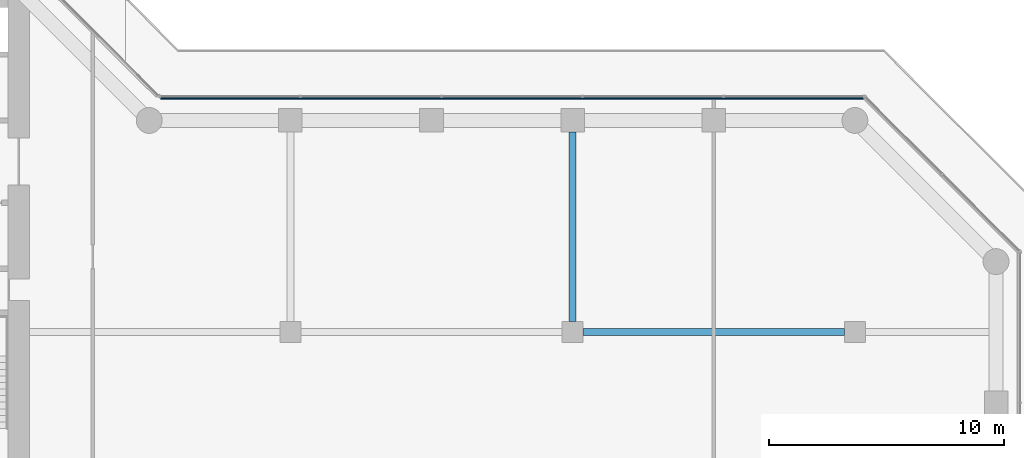
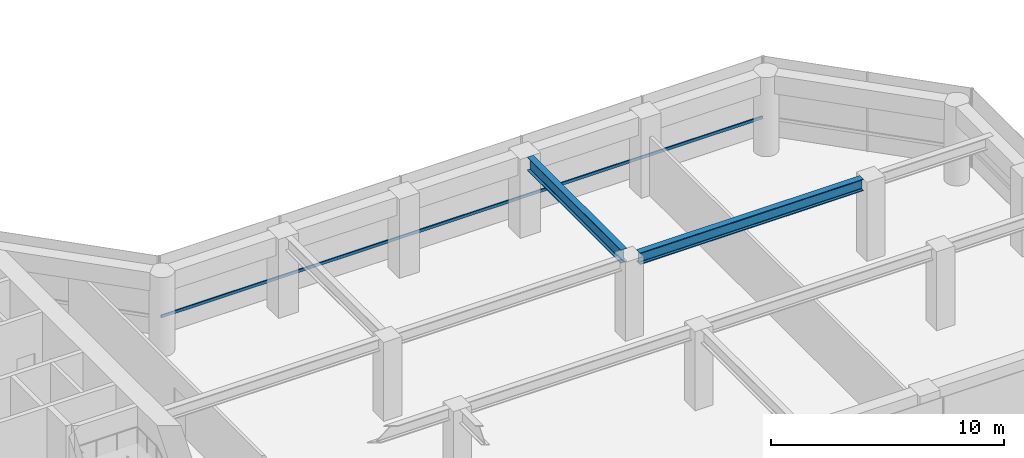
# One storey, part 9 of 24: 2 beams, 1 member, 1 element without a shape of its own.
"""IFC4 building model written with IfcOpenShell, lengths in metres."""

from ifc_helpers import new_model, si_unit, direction, frame, origin, origin_2d, place, context, subcontext, project, spatial, rectangle, i_section, extrude, material, layer, layer_set, material_profile, profile_set, type_object, element, aggregate, save


model = new_model("IFC4")

# Units and contexts
model_context = context("Model", 3, precision=1e-05, world=origin(), true_north=direction((0.0, 1.0)))
body_context = subcontext(model_context, "Body", "Model", "MODEL_VIEW")
ifc_project = project(units=[si_unit("LENGTHUNIT", "METRE"), si_unit("AREAUNIT", "SQUARE_METRE"), si_unit("VOLUMEUNIT", "CUBIC_METRE"), si_unit("PLANEANGLEUNIT", "RADIAN"), si_unit("MASSUNIT", "GRAM", prefix="KILO")], contexts=[model_context])

# Site, building, storey
site_placement = place(None, origin())
site = spatial("IfcSite", under=ifc_project, at=site_placement, CompositionType="ELEMENT")
building_placement = place(site_placement, origin())
building = spatial("IfcBuilding", under=site, at=building_placement, Name="Welwitschia Terrace Campus", CompositionType="ELEMENT")
storey_placement = place(building_placement, frame((0.0, 0.0, 20.0)))
storey = spatial("IfcBuildingStorey", under=building, at=storey_placement, Name="L04", CompositionType="ELEMENT", Elevation=20.0)

# Beams
ifc_material_1 = material(Name="Steel S355", Category="steel")
ifc_material_profile_1 = material_profile(ifc_material_1, i_section(OverallWidth=0.304931640625, OverallDepth=0.6201171875, WebThickness=0.02099609375, FlangeThickness=0.0400390625, FilletRadius=0.027099609375, at=origin_2d()))
ifc_profile_set_1 = profile_set([ifc_material_profile_1], Name="Steel S355")
beam_type_1 = type_object("IfcBeamType", Name="Interior girder HE 600 M", PredefinedType="BEAM", material=ifc_profile_set_1)
beam_1_placement = place(storey_placement, frame((48.450439453125, 11.0, 3.840087890625), z_axis=(1.0, 0.0, 0.0), x_axis=(0.0, 1.0, 0.0)))
element("IfcBeam", 1, at=beam_1_placement, inside=storey, type_object=beam_type_1, Name="Girder GB1", PredefinedType="BEAM", context=body_context, shape_type="SweptSolid", body=[
    extrude(i_section(OverallWidth=0.304931640625, OverallDepth=0.6201171875, WebThickness=0.02099609375, FlangeThickness=0.0400390625, FilletRadius=0.027099609375, at=origin_2d()), origin(), (0.0, 0.0, 1.0), 11.09912109375),
])
ifc_material_2 = material(Name="Steel S355", Category="steel")
ifc_material_profile_2 = material_profile(ifc_material_2, i_section(OverallWidth=0.300048828125, OverallDepth=0.699951171875, WebThickness=0.01708984375, FlangeThickness=0.031982421875, FilletRadius=0.027099609375, at=origin_2d()))
ifc_profile_set_2 = profile_set([ifc_material_profile_2], Name="Steel S355")
beam_type_2 = type_object("IfcBeamType", Name="Primary beam HE 700 B", PredefinedType="BEAM", material=ifc_profile_set_2)
beam_2_placement = place(storey_placement, frame((48.0, 19.49951171875, 3.800048828125), z_axis=(0.0, -1.0, 0.0), x_axis=(1.0, 0.0, 0.0)))
element("IfcBeam", 2, at=beam_2_placement, inside=storey, type_object=beam_type_2, Name="Primary beam PB1", PredefinedType="BEAM", context=body_context, shape_type="SweptSolid", body=[
    extrude(i_section(OverallWidth=0.300048828125, OverallDepth=0.699951171875, WebThickness=0.01708984375, FlangeThickness=0.031982421875, FilletRadius=0.027099609375, at=origin_2d()), origin(), (0.0, 0.0, 1.0), 8.049072265625),
])

# Curtain wall, member
ifc_material_3 = material(Name="Bronze anodised aluminium", Category="aluminium")
ifc_layer = layer(ifc_material_3, 0.1201171875)
ifc_layer_set = layer_set([ifc_layer], Name="Bronze anodised aluminium")
curtain_wall_type = type_object("IfcCurtainWallType", Name="Curtain wall CW2 tower 6000", PredefinedType="NOTDEFINED", material=ifc_layer_set)
curtain_wall_placement = place(storey_placement, origin())
curtain_wall = element("IfcCurtainWall", 3, at=curtain_wall_placement, inside=storey, type_object=curtain_wall_type, Name="CW L04.5.0", PredefinedType="NOTDEFINED")
ifc_material_4 = material(Name="Bronze anodised aluminium", Category="aluminium")
ifc_material_profile_3 = material_profile(ifc_material_4, rectangle(XDim=0.06005859375, YDim=0.14990234375, at=origin_2d()))
ifc_profile_set_3 = profile_set([ifc_material_profile_3], Name="Bronze anodised aluminium")
member_type = type_object("IfcMemberType", Name="Transom 60x150", PredefinedType="USERDEFINED", material=ifc_profile_set_3)
member_placement = place(storey_placement, frame((60.362548828125, 20.929931640625, 1.0), z_axis=(-1.0, 0.0, 0.0), x_axis=(0.0, -1.0, 0.0)))
member = element("IfcMember", 4, at=member_placement, type_object=member_type, Name="Transom L04.5.0", ObjectType="TRANSOM", PredefinedType="USERDEFINED", context=body_context, shape_type="SweptSolid", body=[
    extrude(rectangle(XDim=0.06005859375, YDim=0.14990234375, at=origin_2d()), origin(), (0.0, 0.0, 1.0), 29.880126953125),
])
aggregate(curtain_wall, [member])

save(model, "model.ifc")
